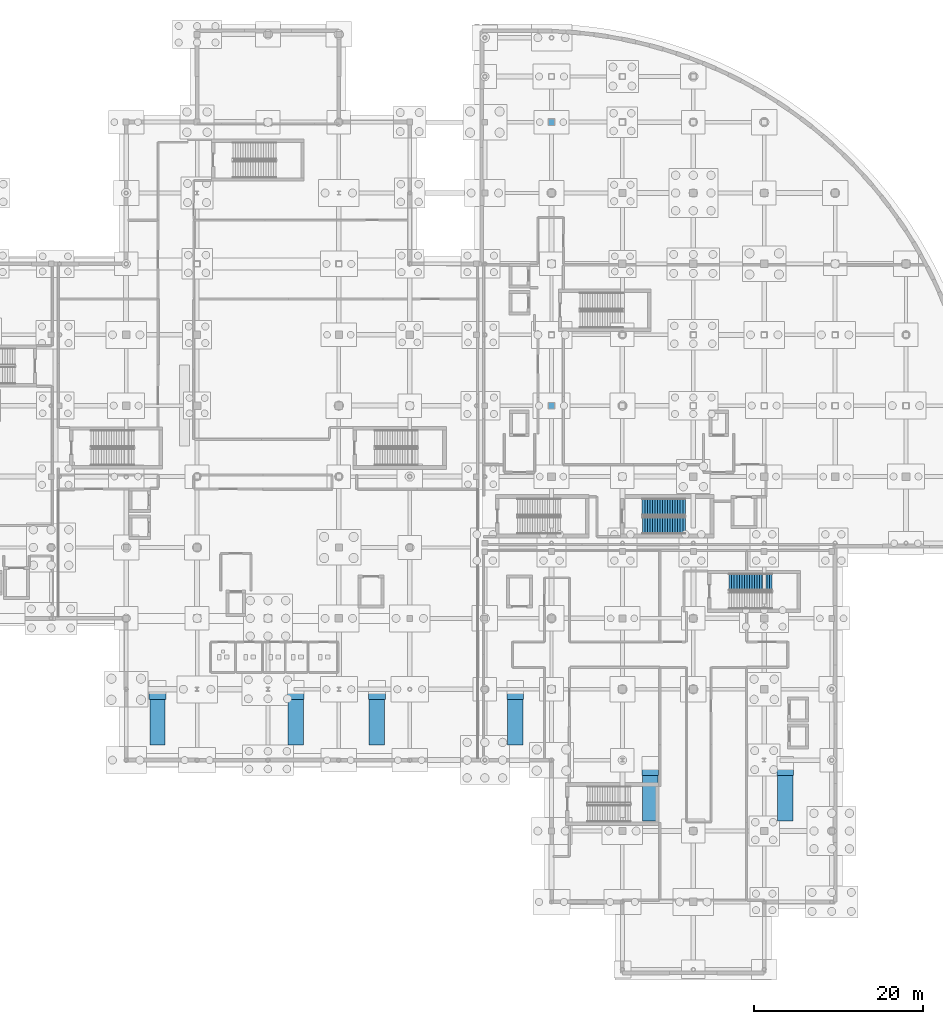
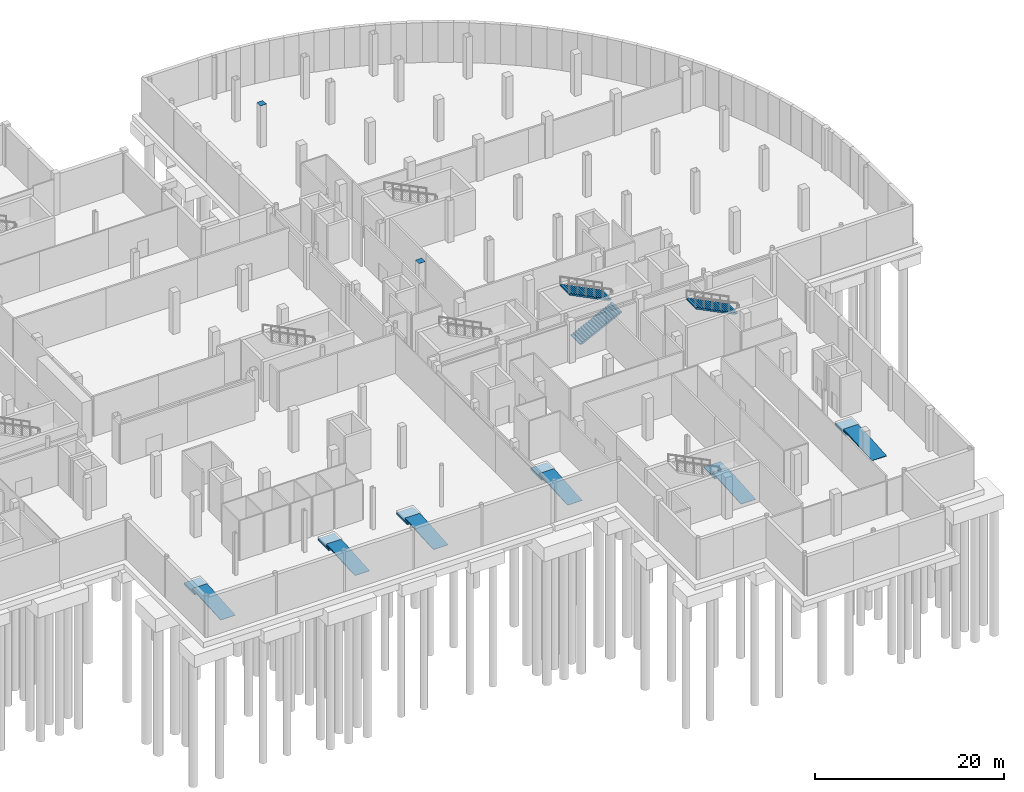
# One storey, part 37 of 49: 6 ramps, 6 ramp flights, 3 stair flights, 2 discrete accessories, 2 elements without a shape of their own.
"""IFC4 building model written with IfcOpenShell, lengths in metres."""

from ifc_helpers import new_model, si_unit, direction, frame, origin, origin_2d, place, context, subcontext, project, spatial, polyline, rectangle, outline, extrude, material, layer, layer_set, type_object, element, aggregate, save


model = new_model("IFC4")

# Units and contexts
model_context = context("Model", 3, precision=1e-05, world=origin(), true_north=direction((0.0, 1.0)))
body_context = subcontext(model_context, "Body", "Model", "MODEL_VIEW")
ifc_project = project(units=[si_unit("LENGTHUNIT", "METRE"), si_unit("AREAUNIT", "SQUARE_METRE"), si_unit("VOLUMEUNIT", "CUBIC_METRE"), si_unit("PLANEANGLEUNIT", "RADIAN"), si_unit("MASSUNIT", "GRAM", prefix="KILO"), si_unit("THERMODYNAMICTEMPERATUREUNIT", "KELVIN")], contexts=[model_context])

# Site, building, storey
site_placement = place(None, origin())
site = spatial("IfcSite", under=ifc_project, at=site_placement, CompositionType="ELEMENT")
building_placement = place(site_placement, origin())
building = spatial("IfcBuilding", under=site, at=building_placement, Name="Lustrewick Department Store", CompositionType="ELEMENT")
storey_placement = place(building_placement, frame((0.0, 0.0, -5.39990234375)))
storey = spatial("IfcBuildingStorey", under=building, at=storey_placement, Name="B1", CompositionType="ELEMENT", Elevation=-5.39990234375)

# Stair, stair flight
ifc_material_1 = material(Name="Concrete C30", Category="concrete")
stair_type = type_object("IfcStairType", Name="ST-H54", PredefinedType="HALF_TURN_STAIR", material=ifc_material_1)
stair_1_placement = place(storey_placement, origin())
stair_1 = element("IfcStair", 1, at=stair_1_placement, inside=storey, type_object=stair_type, Name="B1 Smoke-Proof Exit Stair ST08", PredefinedType="HALF_TURN_STAIR")
stair_flight_type = type_object("IfcStairFlightType", Name="SF-H54", PredefinedType="STRAIGHT", material=ifc_material_1)
stair_flight_1_placement = place(storey_placement, frame((143.75, 46.300048828125, 2.699951171875), z_axis=(0.0, 0.0, 1.0), x_axis=(-1.0, 0.0, 0.0)))
stair_flight_1 = element("IfcStairFlight", 2, at=stair_flight_1_placement, type_object=stair_flight_type, Name="ST-H54 flight 2", NumberOfRisers=18, NumberOfTreads=17, PredefinedType="STRAIGHT", RiserHeight=0.15, TreadLength=0.3, context=body_context, shape_type="SweptSolid", body=[
    extrude(outline(polyline([(0.0, 0.0), (0.0, 0.14990234375), (0.300048828125, 0.14990234375), (0.300048828125, 0.300048828125), (0.60009765625, 0.300048828125), (0.60009765625, 0.449951171875), (0.89990234375, 0.449951171875), (0.89990234375, 0.60009765625), (1.199951171875, 0.60009765625), (1.199951171875, 0.75), (1.5, 0.75), (1.5, 0.89990234375), (1.800048828125, 0.89990234375), (1.800048828125, 1.050048828125), (2.10009765625, 1.050048828125), (2.10009765625, 1.199951171875), (2.39990234375, 1.199951171875), (2.39990234375, 1.35009765625), (2.699951171875, 1.35009765625), (2.699951171875, 1.5), (3.0, 1.5), (3.0, 1.64990234375), (3.300048828125, 1.64990234375), (3.300048828125, 1.800048828125), (3.60009765625, 1.800048828125), (3.60009765625, 1.949951171875), (3.89990234375, 1.949951171875), (3.89990234375, 2.10009765625), (4.199951171875, 2.10009765625), (4.199951171875, 2.25), (4.5, 2.25), (4.5, 2.39990234375), (4.800048828125, 2.39990234375), (4.800048828125, 2.550048828125), (5.10009765625, 2.550048828125), (5.10009765625, 2.699951171875), (5.10009765625, 2.37109375), (0.357666015625, 0.0), (0.0, 0.0)])), frame((0.0, 1.0, 0.0), z_axis=(0.0, -1.0, 0.0), x_axis=(1.0, 0.0, 0.0)), (0.0, 0.0, 1.0), 2.0),
])
aggregate(stair_1, [stair_flight_1])

# Stair, stair flights
stair_2_placement = place(storey_placement, origin())
stair_2 = element("IfcStair", 3, at=stair_2_placement, inside=storey, type_object=stair_type, Name="B1 Smoke-Proof Exit Stair ST11", PredefinedType="HALF_TURN_STAIR")
stair_flight_2_placement = place(storey_placement, frame((128.35009765625, 53.0, 0.0), z_axis=(0.0, 0.0, 1.0), x_axis=(1.0, 0.0, 0.0)))
stair_flight_2 = element("IfcStairFlight", 4, at=stair_flight_2_placement, type_object=stair_flight_type, Name="ST-H54 flight 1", NumberOfRisers=18, NumberOfTreads=17, PredefinedType="STRAIGHT", RiserHeight=0.15, TreadLength=0.3, context=body_context, shape_type="SweptSolid", body=[
    extrude(outline(polyline([(0.0, 0.0), (0.0, 0.14990234375), (0.300048828125, 0.14990234375), (0.300048828125, 0.300048828125), (0.60009765625, 0.300048828125), (0.60009765625, 0.449951171875), (0.89990234375, 0.449951171875), (0.89990234375, 0.60009765625), (1.199951171875, 0.60009765625), (1.199951171875, 0.75), (1.5, 0.75), (1.5, 0.89990234375), (1.800048828125, 0.89990234375), (1.800048828125, 1.050048828125), (2.10009765625, 1.050048828125), (2.10009765625, 1.199951171875), (2.39990234375, 1.199951171875), (2.39990234375, 1.35009765625), (2.699951171875, 1.35009765625), (2.699951171875, 1.5), (3.0, 1.5), (3.0, 1.64990234375), (3.300048828125, 1.64990234375), (3.300048828125, 1.800048828125), (3.60009765625, 1.800048828125), (3.60009765625, 1.949951171875), (3.89990234375, 1.949951171875), (3.89990234375, 2.10009765625), (4.199951171875, 2.10009765625), (4.199951171875, 2.25), (4.5, 2.25), (4.5, 2.39990234375), (4.800048828125, 2.39990234375), (4.800048828125, 2.550048828125), (5.10009765625, 2.550048828125), (5.10009765625, 2.699951171875), (5.10009765625, 2.37109375), (0.357666015625, 0.0), (0.0, 0.0)])), frame((0.0, 1.0, 0.0), z_axis=(0.0, -1.0, 0.0), x_axis=(1.0, 0.0, 0.0)), (0.0, 0.0, 1.0), 2.0),
])
stair_flight_3_placement = place(storey_placement, frame((133.449951171875, 55.199951171875, 2.699951171875), z_axis=(0.0, 0.0, 1.0), x_axis=(-1.0, 0.0, 0.0)))
stair_flight_3 = element("IfcStairFlight", 5, at=stair_flight_3_placement, type_object=stair_flight_type, Name="ST-H54 flight 2", NumberOfRisers=18, NumberOfTreads=17, PredefinedType="STRAIGHT", RiserHeight=0.15, TreadLength=0.3, context=body_context, shape_type="SweptSolid", body=[
    extrude(outline(polyline([(0.0, 0.0), (0.0, 0.14990234375), (0.300048828125, 0.14990234375), (0.300048828125, 0.300048828125), (0.60009765625, 0.300048828125), (0.60009765625, 0.449951171875), (0.89990234375, 0.449951171875), (0.89990234375, 0.60009765625), (1.199951171875, 0.60009765625), (1.199951171875, 0.75), (1.5, 0.75), (1.5, 0.89990234375), (1.800048828125, 0.89990234375), (1.800048828125, 1.050048828125), (2.10009765625, 1.050048828125), (2.10009765625, 1.199951171875), (2.39990234375, 1.199951171875), (2.39990234375, 1.35009765625), (2.699951171875, 1.35009765625), (2.699951171875, 1.5), (3.0, 1.5), (3.0, 1.64990234375), (3.300048828125, 1.64990234375), (3.300048828125, 1.800048828125), (3.60009765625, 1.800048828125), (3.60009765625, 1.949951171875), (3.89990234375, 1.949951171875), (3.89990234375, 2.10009765625), (4.199951171875, 2.10009765625), (4.199951171875, 2.25), (4.5, 2.25), (4.5, 2.39990234375), (4.800048828125, 2.39990234375), (4.800048828125, 2.550048828125), (5.10009765625, 2.550048828125), (5.10009765625, 2.699951171875), (5.10009765625, 2.37109375), (0.357666015625, 0.0), (0.0, 0.0)])), frame((0.0, 1.0, 0.0), z_axis=(0.0, -1.0, 0.0), x_axis=(1.0, 0.0, 0.0)), (0.0, 0.0, 1.0), 2.0),
])
aggregate(stair_2, [stair_flight_2, stair_flight_3])

# Ramp flight
ifc_layer = layer(ifc_material_1, 0.179931640625, Name="Concrete C30")
ifc_layer_set = layer_set([ifc_layer], Name="Concrete C30")
ramp_flight_type = type_object("IfcRampFlightType", Name="RF-PED", PredefinedType="STRAIGHT", material=ifc_layer_set)
ramp_flight_1_placement = place(storey_placement, frame((70.89990234375, 27.0, 0.0), z_axis=(0.0, 0.0, 1.0), x_axis=(0.0, 1.0, 0.0)))
ramp_flight_1 = element("IfcRampFlight", 6, at=ramp_flight_1_placement, type_object=ramp_flight_type, Name="B1 Barrier-Free Ramp Flight PR-01", PredefinedType="STRAIGHT", context=body_context, shape_type="SweptSolid", body=[
    extrude(outline(polyline([(0.0, 0.0), (0.449951171875, 0.0), (5.39990234375, 0.27001953125), (6.0498046875, 0.27001953125), (6.0498046875, 0.449951171875), (5.39990234375, 0.449951171875), (0.0, 0.044921875), (0.0, 0.0)])), frame((0.0, 0.89990234375, 0.0), z_axis=(0.0, -1.0, 0.0), x_axis=(1.0, 0.0, 0.0)), (0.0, 0.0, 1.0), 1.800048828125),
])

ramp_flight_2_placement = place(storey_placement, frame((87.300048828125, 27.0, 0.0), z_axis=(0.0, 0.0, 1.0), x_axis=(0.0, 1.0, 0.0)))
ramp_flight_2 = element("IfcRampFlight", 7, at=ramp_flight_2_placement, type_object=ramp_flight_type, Name="B1 Barrier-Free Ramp Flight PR-02", PredefinedType="STRAIGHT", context=body_context, shape_type="SweptSolid", body=[
    extrude(outline(polyline([(0.0, 0.0), (0.449951171875, 0.0), (5.39990234375, 0.27001953125), (6.0498046875, 0.27001953125), (6.0498046875, 0.449951171875), (5.39990234375, 0.449951171875), (0.0, 0.044921875), (0.0, 0.0)])), frame((0.0, 0.89990234375, 0.0), z_axis=(0.0, -1.0, 0.0), x_axis=(1.0, 0.0, 0.0)), (0.0, 0.0, 1.0), 1.800048828125),
])

ramp_flight_3_placement = place(storey_placement, frame((96.89990234375, 27.0, 0.0), z_axis=(0.0, 0.0, 1.0), x_axis=(0.0, 1.0, 0.0)))
ramp_flight_3 = element("IfcRampFlight", 8, at=ramp_flight_3_placement, type_object=ramp_flight_type, Name="B1 Barrier-Free Ramp Flight PR-03", PredefinedType="STRAIGHT", context=body_context, shape_type="SweptSolid", body=[
    extrude(outline(polyline([(0.0, 0.0), (0.449951171875, 0.0), (5.39990234375, 0.27001953125), (6.0498046875, 0.27001953125), (6.0498046875, 0.449951171875), (5.39990234375, 0.449951171875), (0.0, 0.044921875), (0.0, 0.0)])), frame((0.0, 0.89990234375, 0.0), z_axis=(0.0, -1.0, 0.0), x_axis=(1.0, 0.0, 0.0)), (0.0, 0.0, 1.0), 1.800048828125),
])

ramp_flight_4_placement = place(storey_placement, frame((113.300048828125, 27.0, 0.0), z_axis=(0.0, 0.0, 1.0), x_axis=(0.0, 1.0, 0.0)))
ramp_flight_4 = element("IfcRampFlight", 9, at=ramp_flight_4_placement, type_object=ramp_flight_type, Name="B1 Barrier-Free Ramp Flight PR-04", PredefinedType="STRAIGHT", context=body_context, shape_type="SweptSolid", body=[
    extrude(outline(polyline([(0.0, 0.0), (0.449951171875, 0.0), (5.39990234375, 0.27001953125), (6.0498046875, 0.27001953125), (6.0498046875, 0.449951171875), (5.39990234375, 0.449951171875), (0.0, 0.044921875), (0.0, 0.0)])), frame((0.0, 0.89990234375, 0.0), z_axis=(0.0, -1.0, 0.0), x_axis=(1.0, 0.0, 0.0)), (0.0, 0.0, 1.0), 1.800048828125),
])

ramp_flight_5_placement = place(storey_placement, frame((129.300048828125, 18.0, 0.0), z_axis=(0.0, 0.0, 1.0), x_axis=(0.0, 1.0, 0.0)))
ramp_flight_5 = element("IfcRampFlight", 10, at=ramp_flight_5_placement, type_object=ramp_flight_type, Name="B1 Barrier-Free Ramp Flight PR-05", PredefinedType="STRAIGHT", context=body_context, shape_type="SweptSolid", body=[
    extrude(outline(polyline([(0.0, 0.0), (0.449951171875, 0.0), (5.39990234375, 0.27001953125), (6.0498046875, 0.27001953125), (6.0498046875, 0.449951171875), (5.39990234375, 0.449951171875), (0.0, 0.044921875), (0.0, 0.0)])), frame((0.0, 0.89990234375, 0.0), z_axis=(0.0, -1.0, 0.0), x_axis=(1.0, 0.0, 0.0)), (0.0, 0.0, 1.0), 1.800048828125),
])

ramp_flight_6_placement = place(storey_placement, frame((145.300048828125, 18.0, 0.0), z_axis=(0.0, 0.0, 1.0), x_axis=(0.0, 1.0, 0.0)))
ramp_flight_6 = element("IfcRampFlight", 11, at=ramp_flight_6_placement, type_object=ramp_flight_type, Name="B1 Barrier-Free Ramp Flight PR-06", PredefinedType="STRAIGHT", context=body_context, shape_type="SweptSolid", body=[
    extrude(outline(polyline([(0.0, 0.0), (0.449951171875, 0.0), (5.39990234375, 0.27001953125), (6.0498046875, 0.27001953125), (6.0498046875, 0.449951171875), (5.39990234375, 0.449951171875), (0.0, 0.044921875), (0.0, 0.0)])), frame((0.0, 0.89990234375, 0.0), z_axis=(0.0, -1.0, 0.0), x_axis=(1.0, 0.0, 0.0)), (0.0, 0.0, 1.0), 1.800048828125),
])

# Ramp
ramp_type = type_object("IfcRampType", Name="RMP-PED", PredefinedType="STRAIGHT_RUN_RAMP", material=ifc_material_1)
ramp_1_placement = place(storey_placement, origin())
ramp_1 = element("IfcRamp", 12, at=ramp_1_placement, inside=storey, type_object=ramp_type, Name="B1 Barrier-Free Pedestrian Ramp PR-01", PredefinedType="STRAIGHT_RUN_RAMP", context=body_context, shape_type="SweptSolid", body=[
    extrude(outline(polyline([(71.89990234375, 32.39990234375), (71.89990234375, 34.64990234375), (69.89990234375, 34.64990234375), (69.89990234375, 32.39990234375), (71.89990234375, 32.39990234375)])), origin(), (0.0, 0.0, 1.0), 0.25),
])

aggregate(ramp_1, [ramp_flight_1])

ramp_2_placement = place(storey_placement, origin())
ramp_2 = element("IfcRamp", 13, at=ramp_2_placement, inside=storey, type_object=ramp_type, Name="B1 Barrier-Free Pedestrian Ramp PR-02", PredefinedType="STRAIGHT_RUN_RAMP", context=body_context, shape_type="SweptSolid", body=[
    extrude(outline(polyline([(88.300048828125, 32.39990234375), (88.300048828125, 34.64990234375), (86.300048828125, 34.64990234375), (86.300048828125, 32.39990234375), (88.300048828125, 32.39990234375)])), origin(), (0.0, 0.0, 1.0), 0.25),
])

aggregate(ramp_2, [ramp_flight_2])

ramp_3_placement = place(storey_placement, origin())
ramp_3 = element("IfcRamp", 14, at=ramp_3_placement, inside=storey, type_object=ramp_type, Name="B1 Barrier-Free Pedestrian Ramp PR-03", PredefinedType="STRAIGHT_RUN_RAMP", context=body_context, shape_type="SweptSolid", body=[
    extrude(outline(polyline([(97.89990234375, 32.39990234375), (97.89990234375, 34.64990234375), (95.89990234375, 34.64990234375), (95.89990234375, 32.39990234375), (97.89990234375, 32.39990234375)])), origin(), (0.0, 0.0, 1.0), 0.25),
])

aggregate(ramp_3, [ramp_flight_3])

ramp_4_placement = place(storey_placement, origin())
ramp_4 = element("IfcRamp", 15, at=ramp_4_placement, inside=storey, type_object=ramp_type, Name="B1 Barrier-Free Pedestrian Ramp PR-04", PredefinedType="STRAIGHT_RUN_RAMP", context=body_context, shape_type="SweptSolid", body=[
    extrude(outline(polyline([(114.300048828125, 32.39990234375), (114.300048828125, 34.64990234375), (112.300048828125, 34.64990234375), (112.300048828125, 32.39990234375), (114.300048828125, 32.39990234375)])), origin(), (0.0, 0.0, 1.0), 0.25),
])

aggregate(ramp_4, [ramp_flight_4])

ramp_5_placement = place(storey_placement, origin())
ramp_5 = element("IfcRamp", 16, at=ramp_5_placement, inside=storey, type_object=ramp_type, Name="B1 Barrier-Free Pedestrian Ramp PR-05", PredefinedType="STRAIGHT_RUN_RAMP", context=body_context, shape_type="SweptSolid", body=[
    extrude(outline(polyline([(130.300048828125, 23.39990234375), (130.300048828125, 25.64990234375), (128.300048828125, 25.64990234375), (128.300048828125, 23.39990234375), (130.300048828125, 23.39990234375)])), origin(), (0.0, 0.0, 1.0), 0.25),
])

aggregate(ramp_5, [ramp_flight_5])

ramp_6_placement = place(storey_placement, origin())
ramp_6 = element("IfcRamp", 17, at=ramp_6_placement, inside=storey, type_object=ramp_type, Name="B1 Barrier-Free Pedestrian Ramp PR-06", PredefinedType="STRAIGHT_RUN_RAMP", context=body_context, shape_type="SweptSolid", body=[
    extrude(outline(polyline([(146.300048828125, 23.39990234375), (146.300048828125, 25.64990234375), (144.300048828125, 25.64990234375), (144.300048828125, 23.39990234375), (146.300048828125, 23.39990234375)])), origin(), (0.0, 0.0, 1.0), 0.25),
])

aggregate(ramp_6, [ramp_flight_6])

# Discrete accessories
ifc_material_2 = material(Name="Structural steel Q355C", Category="steel")
discrete_accessory_type = type_object("IfcDiscreteAccessoryType", Name="ECP-01", PredefinedType="USERDEFINED", material=ifc_material_2)
for number, where, z_axis, x_axis, name in (
    (18, (117.60009765625, 100.800048828125, 5.393798828125), (0.0, 0.0, 1.0), (1.0, 0.0, 0.0), "B1 Welded Hollow-Section End-Cap Plate ECP-01"),
    (19, (117.60009765625, 67.199951171875, 5.393798828125), (0.0, 0.0, 1.0), (1.0, 0.0, 0.0), "B1 Welded Hollow-Section End-Cap Plate ECP-01"),
):
    element("IfcDiscreteAccessory", number, at=place(storey_placement, frame(where, z_axis=z_axis, x_axis=x_axis)), inside=storey, type_object=discrete_accessory_type, Name=name, ObjectType="END_CAP_PLATE", PredefinedType="USERDEFINED", context=body_context, shape_type="SweptSolid", body=[
        extrude(rectangle(XDim=0.75, YDim=0.75, at=origin_2d()), origin(), (0.0, 0.0, 1.0), 0.01611328125),
    ])

save(model, "model.ifc")
